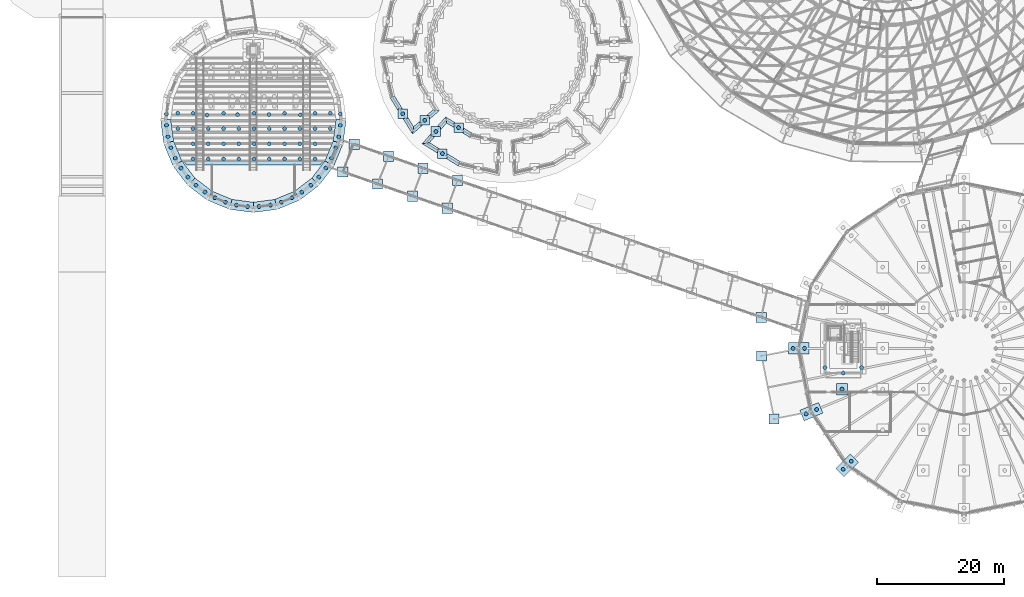
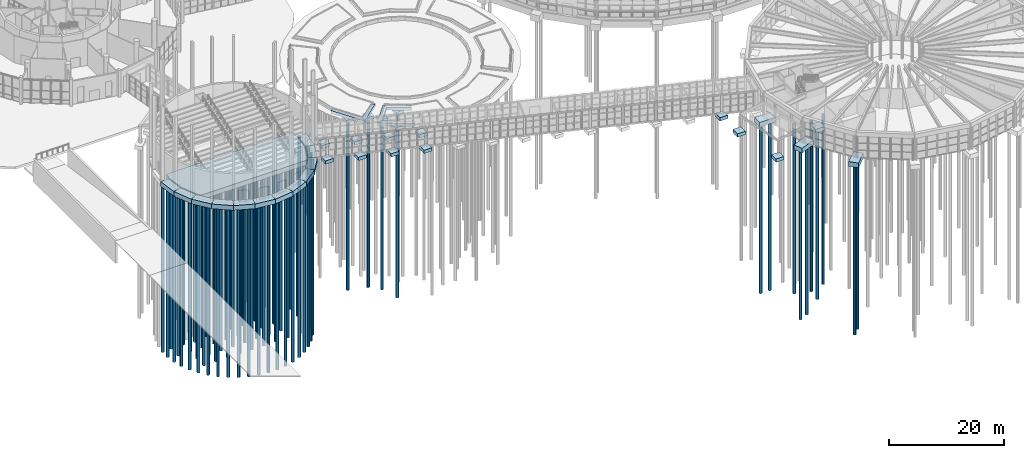
# One storey, part 1 of 226: 81 piles, 38 footings.
"""IFC4 building model written with IfcOpenShell, lengths in metres."""

from ifc_helpers import new_model, si_unit, direction, frame, origin, origin_2d, place, context, subcontext, project, spatial, polyline, circle, outline, extrude, material, layer, layer_set, material_profile, profile_set, type_object, element, save


model = new_model("IFC4")

# Units and contexts
model_context = context("Model", 3, precision=1e-05, world=origin(), true_north=direction((0.0, 1.0)))
body_context = subcontext(model_context, "Body", "Model", "MODEL_VIEW")
ifc_project = project(units=[si_unit("LENGTHUNIT", "METRE"), si_unit("AREAUNIT", "SQUARE_METRE"), si_unit("VOLUMEUNIT", "CUBIC_METRE"), si_unit("PLANEANGLEUNIT", "RADIAN"), si_unit("MASSUNIT", "GRAM", prefix="KILO")], contexts=[model_context])

# Site, building, storey
site_placement = place(None, origin())
site = spatial("IfcSite", under=ifc_project, at=site_placement, CompositionType="ELEMENT")
building_placement = place(site_placement, origin())
building = spatial("IfcBuilding", under=site, at=building_placement, Name="Ceibo Conservatory and Research Tower", CompositionType="ELEMENT")
storey_placement = place(building_placement, origin())
storey = spatial("IfcBuildingStorey", under=building, at=storey_placement, Name="L00", CompositionType="ELEMENT", Elevation=0.0)

# Piles
ifc_material_1 = material(Name="Concrete C35/45", Category="concrete")
ifc_material_profile = material_profile(ifc_material_1, circle(Radius=0.300048828125, at=origin_2d()), Name="RC D600")
ifc_profile_set = profile_set([ifc_material_profile], Name="Concrete C35/45")
pile_type = type_object("IfcPileType", Name="Bored pile D600", PredefinedType="BORED", material=ifc_profile_set)
for number, where, z_axis, x_axis, name in (
    (1, (69.86083984375, 72.892822265625, -1.199951171875), (0.0, 0.0, -1.0), (1.0, 0.0, 0.0), "Pile AUD.STRIP.F01 01"),
    (2, (42.499267578125, 72.892822265625, -1.199951171875), (0.0, 0.0, -1.0), (1.0, 0.0, 0.0), "Pile AUD.STRIP.F12 02"),
    (3, (42.499267578125, 71.107177734375, -1.199951171875), (0.0, 0.0, -1.0), (1.0, 0.0, 0.0), "Pile AUD.STRIP.F13 01"),
    (4, (42.734375, 69.321533203125, -1.199951171875), (0.0, 0.0, -1.0), (1.0, 0.0, 0.0), "Pile AUD.STRIP.F13 02"),
    (5, (43.196533203125, 67.5966796875, -1.199951171875), (0.0, 0.0, -1.0), (1.0, 0.0, 0.0), "Pile AUD.STRIP.F14 01"),
    (6, (43.8857421875, 65.932861328125, -1.199951171875), (0.0, 0.0, -1.0), (1.0, 0.0, 0.0), "Pile AUD.STRIP.F14 02"),
    (7, (44.778564453125, 64.386474609375, -1.199951171875), (0.0, 0.0, -1.0), (1.0, 0.0, 0.0), "Pile AUD.STRIP.F15 01"),
    (8, (45.875, 62.95751953125, -1.199951171875), (0.0, 0.0, -1.0), (1.0, 0.0, 0.0), "Pile AUD.STRIP.F15 02"),
    (9, (47.1376953125, 61.69482421875, -1.199951171875), (0.0, 0.0, -1.0), (1.0, 0.0, 0.0), "Pile AUD.STRIP.F16 01"),
    (10, (48.56640625, 60.5986328125, -1.199951171875), (0.0, 0.0, -1.0), (1.0, 0.0, 0.0), "Pile AUD.STRIP.F16 02"),
    (11, (50.11279296875, 59.705810546875, -1.199951171875), (0.0, 0.0, -1.0), (1.0, 0.0, 0.0), "Pile AUD.STRIP.F17 01"),
    (12, (51.77685546875, 59.0166015625, -1.199951171875), (0.0, 0.0, -1.0), (1.0, 0.0, 0.0), "Pile AUD.STRIP.F17 02"),
    (13, (53.501708984375, 58.554443359375, -1.199951171875), (0.0, 0.0, -1.0), (1.0, 0.0, 0.0), "Pile AUD.STRIP.F18 01"),
    (14, (55.287353515625, 58.3193359375, -1.199951171875), (0.0, 0.0, -1.0), (1.0, 0.0, 0.0), "Pile AUD.STRIP.F18 02"),
    (15, (57.072998046875, 58.3193359375, -1.199951171875), (0.0, 0.0, -1.0), (1.0, 0.0, 0.0), "Pile AUD.STRIP.F19 01"),
    (16, (58.858642578125, 58.554443359375, -1.199951171875), (0.0, 0.0, -1.0), (1.0, 0.0, 0.0), "Pile AUD.STRIP.F19 02"),
    (17, (60.583251953125, 59.0166015625, -1.199951171875), (0.0, 0.0, -1.0), (1.0, 0.0, 0.0), "Pile AUD.STRIP.F20 01"),
    (18, (62.247314453125, 59.705810546875, -1.199951171875), (0.0, 0.0, -1.0), (1.0, 0.0, 0.0), "Pile AUD.STRIP.F20 02"),
    (19, (63.793701171875, 60.5986328125, -1.199951171875), (0.0, 0.0, -1.0), (1.0, 0.0, 0.0), "Pile AUD.STRIP.F21 01"),
    (20, (65.222412109375, 61.69482421875, -1.199951171875), (0.0, 0.0, -1.0), (1.0, 0.0, 0.0), "Pile AUD.STRIP.F21 02"),
    (21, (66.485107421875, 62.95751953125, -1.199951171875), (0.0, 0.0, -1.0), (1.0, 0.0, 0.0), "Pile AUD.STRIP.F22 01"),
    (22, (67.58154296875, 64.386474609375, -1.199951171875), (0.0, 0.0, -1.0), (1.0, 0.0, 0.0), "Pile AUD.STRIP.F22 02"),
    (23, (68.474365234375, 65.932861328125, -1.199951171875), (0.0, 0.0, -1.0), (1.0, 0.0, 0.0), "Pile AUD.STRIP.F23 01"),
    (24, (69.16357421875, 67.5966796875, -1.199951171875), (0.0, 0.0, -1.0), (1.0, 0.0, 0.0), "Pile AUD.STRIP.F23 02"),
    (25, (69.625732421875, 69.321533203125, -1.199951171875), (0.0, 0.0, -1.0), (1.0, 0.0, 0.0), "Pile AUD.STRIP.F24 01"),
    (26, (69.86083984375, 71.107177734375, -1.199951171875), (0.0, 0.0, -1.0), (1.0, 0.0, 0.0), "Pile AUD.STRIP.F24 02"),
    (27, (46.6904296875, 65.803466796875, -1.199951171875), (0.0, 0.0, -1.0), (1.0, 0.0, 0.0), "Pile AUD.CAP.RAFT 01"),
    (28, (49.09033203125, 65.803466796875, -1.199951171875), (0.0, 0.0, -1.0), (1.0, 0.0, 0.0), "Pile AUD.CAP.RAFT 02"),
    (29, (51.490478515625, 65.803466796875, -1.199951171875), (0.0, 0.0, -1.0), (1.0, 0.0, 0.0), "Pile AUD.CAP.RAFT 03"),
    (30, (53.890380859375, 65.803466796875, -1.199951171875), (0.0, 0.0, -1.0), (1.0, 0.0, 0.0), "Pile AUD.CAP.RAFT 04"),
    (31, (56.29052734375, 65.803466796875, -1.199951171875), (0.0, 0.0, -1.0), (1.0, 0.0, 0.0), "Pile AUD.CAP.RAFT 05"),
    (32, (58.6904296875, 65.803466796875, -1.199951171875), (0.0, 0.0, -1.0), (1.0, 0.0, 0.0), "Pile AUD.CAP.RAFT 06"),
    (33, (61.09033203125, 65.803466796875, -1.199951171875), (0.0, 0.0, -1.0), (1.0, 0.0, 0.0), "Pile AUD.CAP.RAFT 07"),
    (34, (63.490478515625, 65.803466796875, -1.199951171875), (0.0, 0.0, -1.0), (1.0, 0.0, 0.0), "Pile AUD.CAP.RAFT 08"),
    (35, (65.890380859375, 65.803466796875, -1.199951171875), (0.0, 0.0, -1.0), (1.0, 0.0, 0.0), "Pile AUD.CAP.RAFT 09"),
    (36, (46.6904296875, 68.203369140625, -1.199951171875), (0.0, 0.0, -1.0), (1.0, 0.0, 0.0), "Pile AUD.CAP.RAFT 10"),
    (37, (49.09033203125, 68.203369140625, -1.199951171875), (0.0, 0.0, -1.0), (1.0, 0.0, 0.0), "Pile AUD.CAP.RAFT 11"),
    (38, (51.490478515625, 68.203369140625, -1.199951171875), (0.0, 0.0, -1.0), (1.0, 0.0, 0.0), "Pile AUD.CAP.RAFT 12"),
    (39, (53.890380859375, 68.203369140625, -1.199951171875), (0.0, 0.0, -1.0), (1.0, 0.0, 0.0), "Pile AUD.CAP.RAFT 13"),
    (40, (56.29052734375, 68.203369140625, -1.199951171875), (0.0, 0.0, -1.0), (1.0, 0.0, 0.0), "Pile AUD.CAP.RAFT 14"),
    (41, (58.6904296875, 68.203369140625, -1.199951171875), (0.0, 0.0, -1.0), (1.0, 0.0, 0.0), "Pile AUD.CAP.RAFT 15"),
    (42, (61.09033203125, 68.203369140625, -1.199951171875), (0.0, 0.0, -1.0), (1.0, 0.0, 0.0), "Pile AUD.CAP.RAFT 16"),
    (43, (63.490478515625, 68.203369140625, -1.199951171875), (0.0, 0.0, -1.0), (1.0, 0.0, 0.0), "Pile AUD.CAP.RAFT 17"),
    (44, (65.890380859375, 68.203369140625, -1.199951171875), (0.0, 0.0, -1.0), (1.0, 0.0, 0.0), "Pile AUD.CAP.RAFT 18"),
    (45, (44.29052734375, 70.603515625, -1.199951171875), (0.0, 0.0, -1.0), (1.0, 0.0, 0.0), "Pile AUD.CAP.RAFT 19"),
    (46, (46.6904296875, 70.603515625, -1.199951171875), (0.0, 0.0, -1.0), (1.0, 0.0, 0.0), "Pile AUD.CAP.RAFT 20"),
    (47, (49.09033203125, 70.603515625, -1.199951171875), (0.0, 0.0, -1.0), (1.0, 0.0, 0.0), "Pile AUD.CAP.RAFT 21"),
    (48, (51.490478515625, 70.603515625, -1.199951171875), (0.0, 0.0, -1.0), (1.0, 0.0, 0.0), "Pile AUD.CAP.RAFT 22"),
    (49, (53.890380859375, 70.603515625, -1.199951171875), (0.0, 0.0, -1.0), (1.0, 0.0, 0.0), "Pile AUD.CAP.RAFT 23"),
    (50, (56.29052734375, 70.603515625, -1.199951171875), (0.0, 0.0, -1.0), (1.0, 0.0, 0.0), "Pile AUD.CAP.RAFT 24"),
    (51, (58.6904296875, 70.603515625, -1.199951171875), (0.0, 0.0, -1.0), (1.0, 0.0, 0.0), "Pile AUD.CAP.RAFT 25"),
    (52, (61.09033203125, 70.603515625, -1.199951171875), (0.0, 0.0, -1.0), (1.0, 0.0, 0.0), "Pile AUD.CAP.RAFT 26"),
    (53, (63.490478515625, 70.603515625, -1.199951171875), (0.0, 0.0, -1.0), (1.0, 0.0, 0.0), "Pile AUD.CAP.RAFT 27"),
    (54, (65.890380859375, 70.603515625, -1.199951171875), (0.0, 0.0, -1.0), (1.0, 0.0, 0.0), "Pile AUD.CAP.RAFT 28"),
    (55, (68.29052734375, 70.603515625, -1.199951171875), (0.0, 0.0, -1.0), (1.0, 0.0, 0.0), "Pile AUD.CAP.RAFT 29"),
    (56, (44.29052734375, 73.00341796875, -1.199951171875), (0.0, 0.0, -1.0), (1.0, 0.0, 0.0), "Pile AUD.CAP.RAFT 30"),
    (57, (46.6904296875, 73.00341796875, -1.199951171875), (0.0, 0.0, -1.0), (1.0, 0.0, 0.0), "Pile AUD.CAP.RAFT 31"),
    (58, (48.88671875, 72.71875, -1.199951171875), (0.0, 0.0, -1.0), (1.0, 0.0, 0.0), "Pile AUD.CAP.RAFT 32"),
    (59, (51.490478515625, 73.00341796875, -1.199951171875), (0.0, 0.0, -1.0), (1.0, 0.0, 0.0), "Pile AUD.CAP.RAFT 33"),
    (60, (53.673828125, 72.7958984375, -1.199951171875), (0.0, 0.0, -1.0), (1.0, 0.0, 0.0), "Pile AUD.CAP.RAFT 34"),
    (61, (56.29052734375, 73.00341796875, -1.199951171875), (0.0, 0.0, -1.0), (1.0, 0.0, 0.0), "Pile AUD.CAP.RAFT 35"),
    (62, (58.653076171875, 72.806884765625, -1.199951171875), (0.0, 0.0, -1.0), (1.0, 0.0, 0.0), "Pile AUD.CAP.RAFT 36"),
    (63, (61.09033203125, 73.00341796875, -1.199951171875), (0.0, 0.0, -1.0), (1.0, 0.0, 0.0), "Pile AUD.CAP.RAFT 37"),
    (64, (63.5771484375, 72.76904296875, -1.199951171875), (0.0, 0.0, -1.0), (1.0, 0.0, 0.0), "Pile AUD.CAP.RAFT 38"),
    (65, (65.890380859375, 73.00341796875, -1.199951171875), (0.0, 0.0, -1.0), (1.0, 0.0, 0.0), "Pile AUD.CAP.RAFT 39"),
    (66, (68.29052734375, 73.00341796875, -1.199951171875), (0.0, 0.0, -1.0), (1.0, 0.0, 0.0), "Pile AUD.CAP.RAFT 40"),
    (67, (142.89990234375, 36.0, -0.89990234375), (0.0, 0.0, -1.0), (1.0, 0.0, 0.0), "Pile VC.CAP.L00.09 01"),
    (68, (141.10009765625, 36.0, -0.89990234375), (0.0, 0.0, -1.0), (1.0, 0.0, 0.0), "Pile VC.CAP.L00.09 02"),
    (69, (144.810546875, 26.39453125, -0.89990234375), (0.0, 0.0, -1.0), (1.0, 0.0, 0.0), "Pile VC.CAP.L00.10 01"),
    (70, (143.147705078125, 25.705810546875, -0.89990234375), (0.0, 0.0, -1.0), (1.0, 0.0, 0.0), "Pile VC.CAP.L00.10 02"),
    (71, (150.251708984375, 18.251708984375, -0.89990234375), (0.0, 0.0, -1.0), (1.0, 0.0, 0.0), "Pile VC.CAP.L00.11 01"),
    (72, (148.978759765625, 16.978759765625, -0.89990234375), (0.0, 0.0, -1.0), (1.0, 0.0, 0.0), "Pile VC.CAP.L00.11 02"),
    (73, (148.800048828125, 29.60009765625, -0.949951171875), (0.0, 0.0, -1.0), (1.0, 0.0, 0.0), "Pile VC.CAP.FLOOR.09 01"),
    (74, (151.875, 33.0, -0.89990234375), (0.0, 0.0, -1.0), (1.0, 0.0, 0.0), "Pile VC.STRIP.E.J 01"),
    (75, (146.125, 33.0, -0.89990234375), (0.0, 0.0, -1.0), (1.0, 0.0, 0.0), "Pile VC.STRIP.E.J 03"),
    (76, (149.0, 32.125, -0.89990234375), (0.0, 0.0, -1.0), (1.0, 0.0, 0.0), "Pile VC.STRIP.E.J 05"),
    (77, (79.671630859375, 72.934326171875, -1.10009765625), (0.0, 0.0, -1.0), (1.0, 0.0, 0.0), "Pile CARRY.SITE.STRIP.COURT.PB5.KERB.F03 01"),
    (78, (83.140380859375, 71.894775390625, -1.10009765625), (0.0, 0.0, -1.0), (1.0, 0.0, 0.0), "Pile CARRY.SITE.STRIP.COURT.PB5.KERB.F04 01"),
    (79, (84.894775390625, 70.140380859375, -1.10009765625), (0.0, 0.0, -1.0), (1.0, 0.0, 0.0), "Pile CARRY.SITE.STRIP.COURT.PB6.KERB.F01 01"),
    (80, (85.934326171875, 66.671630859375, -1.10009765625), (0.0, 0.0, -1.0), (1.0, 0.0, 0.0), "Pile CARRY.SITE.STRIP.COURT.PB6.KERB.F02 01"),
    (81, (88.462646484375, 70.754150390625, -1.10009765625), (0.0, 0.0, -1.0), (1.0, 0.0, 0.0), "Pile CARRY.SITE.STRIP.COURT.PB6.KERB.F06 01"),
):
    element("IfcPile", number, at=place(storey_placement, frame(where, z_axis=z_axis, x_axis=x_axis)), inside=storey, type_object=pile_type, Name=name, PredefinedType="BORED", context=body_context, shape_type="SweptSolid", body=[
        extrude(circle(Radius=0.300048828125, at=origin_2d()), origin(), (0.0, 0.0, 1.0), 36.0),
    ])

# Footings
ifc_material_2 = material(Name="Concrete C40/50", Category="concrete")
ifc_layer_1 = layer(ifc_material_2, 0.699951171875)
ifc_layer_set_1 = layer_set([ifc_layer_1], Name="Concrete C40/50")
footing_type_1 = type_object("IfcFootingType", Name="Pad footing 1600x1600x700", PredefinedType="PAD_FOOTING", material=ifc_layer_set_1)
footing_1_placement = place(storey_placement, frame((0.0, 0.0, -0.949951171875)))
element("IfcFooting", 82, at=footing_1_placement, inside=storey, type_object=footing_type_1, Name="Pad footing GAL.CAP.L00.AUD-VC.N01", PredefinedType="PAD_FOOTING", context=body_context, shape_type="SweptSolid", body=[
    extrude(outline(polyline([(71.239990234375, 67.32080078125), (72.840087890625, 67.32080078125), (72.840087890625, 68.9208984375), (71.239990234375, 68.9208984375), (71.239990234375, 67.32080078125)])), origin(), (0.0, 0.0, 1.0), 0.699951171875),
])
footing_2_placement = place(storey_placement, frame((0.0, 0.0, -0.949951171875)))
element("IfcFooting", 83, at=footing_2_placement, inside=storey, type_object=footing_type_1, Name="Pad footing GAL.CAP.L00.AUD-VC.S01", PredefinedType="PAD_FOOTING", context=body_context, shape_type="SweptSolid", body=[
    extrude(outline(polyline([(69.434326171875, 62.97265625), (71.0341796875, 62.97265625), (71.0341796875, 64.57275390625), (69.434326171875, 64.57275390625), (69.434326171875, 62.97265625)])), origin(), (0.0, 0.0, 1.0), 0.699951171875),
])
footing_3_placement = place(storey_placement, frame((0.0, 0.0, -0.949951171875)))
element("IfcFooting", 84, at=footing_3_placement, inside=storey, type_object=footing_type_1, Name="Pad footing GAL.CAP.L00.AUD-VC.N02", PredefinedType="PAD_FOOTING", context=body_context, shape_type="SweptSolid", body=[
    extrude(outline(polyline([(76.66064453125, 65.43701171875), (78.2607421875, 65.43701171875), (78.2607421875, 67.036865234375), (76.66064453125, 67.036865234375), (76.66064453125, 65.43701171875)])), origin(), (0.0, 0.0, 1.0), 0.699951171875),
])
footing_4_placement = place(storey_placement, frame((0.0, 0.0, -0.949951171875)))
element("IfcFooting", 85, at=footing_4_placement, inside=storey, type_object=footing_type_1, Name="Pad footing GAL.CAP.L00.AUD-VC.S02", PredefinedType="PAD_FOOTING", context=body_context, shape_type="SweptSolid", body=[
    extrude(outline(polyline([(74.922607421875, 61.065185546875), (76.5224609375, 61.065185546875), (76.5224609375, 62.665283203125), (74.922607421875, 62.665283203125), (74.922607421875, 61.065185546875)])), origin(), (0.0, 0.0, 1.0), 0.699951171875),
])
footing_5_placement = place(storey_placement, frame((0.0, 0.0, -0.949951171875)))
element("IfcFooting", 86, at=footing_5_placement, inside=storey, type_object=footing_type_1, Name="Pad footing GAL.CAP.L00.AUD-VC.N03", PredefinedType="PAD_FOOTING", context=body_context, shape_type="SweptSolid", body=[
    extrude(outline(polyline([(82.081298828125, 63.552978515625), (83.681396484375, 63.552978515625), (83.681396484375, 65.153076171875), (82.081298828125, 65.153076171875), (82.081298828125, 63.552978515625)])), origin(), (0.0, 0.0, 1.0), 0.699951171875),
])
footing_6_placement = place(storey_placement, frame((0.0, 0.0, -0.949951171875)))
element("IfcFooting", 87, at=footing_6_placement, inside=storey, type_object=footing_type_1, Name="Pad footing GAL.CAP.L00.AUD-VC.S03", PredefinedType="PAD_FOOTING", context=body_context, shape_type="SweptSolid", body=[
    extrude(outline(polyline([(80.410888671875, 59.157958984375), (82.0107421875, 59.157958984375), (82.0107421875, 60.7578125), (80.410888671875, 60.7578125), (80.410888671875, 59.157958984375)])), origin(), (0.0, 0.0, 1.0), 0.699951171875),
])
footing_7_placement = place(storey_placement, frame((0.0, 0.0, -0.949951171875)))
element("IfcFooting", 88, at=footing_7_placement, inside=storey, type_object=footing_type_1, Name="Pad footing GAL.CAP.L00.AUD-VC.N04", PredefinedType="PAD_FOOTING", context=body_context, shape_type="SweptSolid", body=[
    extrude(outline(polyline([(87.501953125, 61.669189453125), (89.101806640625, 61.669189453125), (89.101806640625, 63.269287109375), (87.501953125, 63.269287109375), (87.501953125, 61.669189453125)])), origin(), (0.0, 0.0, 1.0), 0.699951171875),
])
footing_8_placement = place(storey_placement, frame((0.0, 0.0, -0.949951171875)))
element("IfcFooting", 89, at=footing_8_placement, inside=storey, type_object=footing_type_1, Name="Pad footing GAL.CAP.L00.AUD-VC.S04", PredefinedType="PAD_FOOTING", context=body_context, shape_type="SweptSolid", body=[
    extrude(outline(polyline([(85.899169921875, 57.25048828125), (87.499267578125, 57.25048828125), (87.499267578125, 58.850341796875), (85.899169921875, 58.850341796875), (85.899169921875, 57.25048828125)])), origin(), (0.0, 0.0, 1.0), 0.699951171875),
])
footing_9_placement = place(storey_placement, frame((0.0, 0.0, -0.949951171875)))
element("IfcFooting", 90, at=footing_9_placement, inside=storey, type_object=footing_type_1, Name="Pad footing GAL.CAP.L00.AUD-VC.S13", PredefinedType="PAD_FOOTING", context=body_context, shape_type="SweptSolid", body=[
    extrude(outline(polyline([(135.293701171875, 40.08349609375), (136.893798828125, 40.08349609375), (136.893798828125, 41.68359375), (135.293701171875, 41.68359375), (135.293701171875, 40.08349609375)])), origin(), (0.0, 0.0, 1.0), 0.699951171875),
])
footing_10_placement = place(storey_placement, frame((0.0, 0.0, -0.699951171875)))
element("IfcFooting", 91, at=footing_10_placement, inside=storey, type_object=footing_type_1, Name="Pad footing LATE.VC.CNP.W.COL1", PredefinedType="PAD_FOOTING", context=body_context, shape_type="SweptSolid", body=[
    extrude(outline(polyline([(135.315185546875, 34.029541015625), (136.915283203125, 34.029541015625), (136.915283203125, 35.62939453125), (135.315185546875, 35.62939453125), (135.315185546875, 34.029541015625)])), origin(), (0.0, 0.0, 1.0), 0.699951171875),
])
footing_11_placement = place(storey_placement, frame((0.0, 0.0, -0.699951171875)))
element("IfcFooting", 92, at=footing_11_placement, inside=storey, type_object=footing_type_1, Name="Pad footing LATE.VC.CNP.W.COL2", PredefinedType="PAD_FOOTING", context=body_context, shape_type="SweptSolid", body=[
    extrude(outline(polyline([(137.29443359375, 24.07958984375), (138.89453125, 24.07958984375), (138.89453125, 25.6796875), (137.29443359375, 25.6796875), (137.29443359375, 24.07958984375)])), origin(), (0.0, 0.0, 1.0), 0.699951171875),
])
ifc_layer_2 = layer(ifc_material_2, 0.60009765625)
ifc_layer_set_2 = layer_set([ifc_layer_2], Name="Concrete C40/50")
footing_type_2 = type_object("IfcFootingType", Name="Pile cap 1500x1500x600", PredefinedType="PILE_CAP", material=ifc_layer_set_2)
footing_12_placement = place(storey_placement, frame((0.0, 0.0, -1.199951171875)))
element("IfcFooting", 93, at=footing_12_placement, inside=storey, type_object=footing_type_2, Name="Pile cap CARRY.SITE.STRIP.COURT.PB5.KERB.F03", PredefinedType="PILE_CAP", context=body_context, shape_type="SweptSolid", body=[
    extrude(outline(polyline([(80.421630859375, 72.184326171875), (80.421630859375, 73.684326171875), (78.921630859375, 73.684326171875), (78.921630859375, 72.184326171875), (80.421630859375, 72.184326171875)])), origin(), (0.0, 0.0, 1.0), 0.599853515625),
])
footing_13_placement = place(storey_placement, frame((0.0, 0.0, -1.199951171875)))
element("IfcFooting", 94, at=footing_13_placement, inside=storey, type_object=footing_type_2, Name="Pile cap CARRY.SITE.STRIP.COURT.PB5.KERB.F04", PredefinedType="PILE_CAP", context=body_context, shape_type="SweptSolid", body=[
    extrude(outline(polyline([(83.890380859375, 71.144775390625), (83.890380859375, 72.644775390625), (82.390380859375, 72.644775390625), (82.390380859375, 71.144775390625), (83.890380859375, 71.144775390625)])), origin(), (0.0, 0.0, 1.0), 0.599853515625),
])
footing_14_placement = place(storey_placement, frame((0.0, 0.0, -1.199951171875)))
element("IfcFooting", 95, at=footing_14_placement, inside=storey, type_object=footing_type_2, Name="Pile cap CARRY.SITE.STRIP.COURT.PB6.KERB.F01", PredefinedType="PILE_CAP", context=body_context, shape_type="SweptSolid", body=[
    extrude(outline(polyline([(85.644775390625, 69.390380859375), (85.644775390625, 70.890380859375), (84.144775390625, 70.890380859375), (84.144775390625, 69.390380859375), (85.644775390625, 69.390380859375)])), origin(), (0.0, 0.0, 1.0), 0.599853515625),
])
footing_15_placement = place(storey_placement, frame((0.0, 0.0, -1.199951171875)))
element("IfcFooting", 96, at=footing_15_placement, inside=storey, type_object=footing_type_2, Name="Pile cap CARRY.SITE.STRIP.COURT.PB6.KERB.F02", PredefinedType="PILE_CAP", context=body_context, shape_type="SweptSolid", body=[
    extrude(outline(polyline([(86.684326171875, 65.921630859375), (86.684326171875, 67.421630859375), (85.184326171875, 67.421630859375), (85.184326171875, 65.921630859375), (86.684326171875, 65.921630859375)])), origin(), (0.0, 0.0, 1.0), 0.599853515625),
])
footing_16_placement = place(storey_placement, frame((0.0, 0.0, -1.199951171875)))
element("IfcFooting", 97, at=footing_16_placement, inside=storey, type_object=footing_type_2, Name="Pile cap CARRY.SITE.STRIP.COURT.PB6.KERB.F06", PredefinedType="PILE_CAP", context=body_context, shape_type="SweptSolid", body=[
    extrude(outline(polyline([(89.212646484375, 70.004150390625), (89.212646484375, 71.504150390625), (87.712646484375, 71.504150390625), (87.712646484375, 70.004150390625), (89.212646484375, 70.004150390625)])), origin(), (0.0, 0.0, 1.0), 0.599853515625),
])
ifc_layer_3 = layer(ifc_material_2, 0.800048828125)
ifc_layer_set_3 = layer_set([ifc_layer_3], Name="Concrete C40/50")
footing_type_3 = type_object("IfcFootingType", Name="Pile cap 1800x1800x800", PredefinedType="PILE_CAP", material=ifc_layer_set_3)
footing_17_placement = place(storey_placement, frame((0.0, 0.0, -1.050048828125)))
element("IfcFooting", 98, at=footing_17_placement, inside=storey, type_object=footing_type_3, Name="Pile cap VC.CAP.FLOOR.09", PredefinedType="PILE_CAP", context=body_context, shape_type="SweptSolid", body=[
    extrude(outline(polyline([(147.89990234375, 28.699951171875), (149.699951171875, 28.699951171875), (149.699951171875, 30.5), (147.89990234375, 30.5), (147.89990234375, 28.699951171875)])), origin(), (0.0, 0.0, 1.0), 0.800048828125),
])
ifc_layer_4 = layer(ifc_material_2, 1.0)
ifc_layer_set_4 = layer_set([ifc_layer_4], Name="Concrete C40/50")
footing_type_4 = type_object("IfcFootingType", Name="Pile cap 3200x1800x1000", PredefinedType="PILE_CAP", material=ifc_layer_set_4)
footing_18_placement = place(storey_placement, frame((0.0, 0.0, -1.0)))
element("IfcFooting", 99, at=footing_18_placement, inside=storey, type_object=footing_type_4, Name="Pile cap VC.CAP.L00.09", PredefinedType="PILE_CAP", context=body_context, shape_type="SweptSolid", body=[
    extrude(outline(polyline([(143.60009765625, 36.89990234375), (140.39990234375, 36.89990234375), (140.39990234375, 35.10009765625), (143.60009765625, 35.10009765625), (143.60009765625, 36.89990234375)])), origin(), (0.0, 0.0, 1.0), 1.0),
])
for number, where, z_axis, x_axis, name in (
    (100, (145.113037109375, 27.493896484375, -1.0), (0.0, 0.0, 1.0), (-0.923879507629, -0.382683492437, 0.0), "Pile cap VC.CAP.L00.10"),
    (101, (150.110107421875, 19.383056640625, -1.0), (0.0, 0.0, 1.0), (-0.707106781187, -0.707106781187, 0.0), "Pile cap VC.CAP.L00.11"),
):
    element("IfcFooting", number, at=place(storey_placement, frame(where, z_axis=z_axis, x_axis=x_axis)), inside=storey, type_object=footing_type_4, Name=name, PredefinedType="PILE_CAP", context=body_context, shape_type="SweptSolid", body=[
        extrude(outline(polyline([(0.0, 0.0), (3.199951171875, 0.0), (3.199951171875, 1.800048828125), (0.0, 1.800048828125), (0.0, 0.0)])), origin(), (0.0, 0.0, 1.0), 1.0),
    ])
ifc_layer_5 = layer(ifc_material_2, 1.0)
ifc_layer_set_5 = layer_set([ifc_layer_5], Name="Concrete C40/50")
footing_type_5 = type_object("IfcFootingType", Name="Pile raft 1000", PredefinedType="PILE_CAP", material=ifc_layer_set_5)
footing_19_placement = place(storey_placement, frame((0.0, 0.0, -1.300048828125)))
element("IfcFooting", 102, at=footing_19_placement, inside=storey, type_object=footing_type_5, Name="Auditorium pile raft", PredefinedType="PILE_CAP", context=body_context, shape_type="SweptSolid", body=[
    extrude(outline(polyline([(68.533935546875, 68.689697265625), (68.9697265625, 72.0), (68.771728515625, 73.50341796875), (43.58837890625, 73.50341796875), (43.390380859375, 72.0), (43.826171875, 68.689697265625), (45.10400390625, 65.605224609375), (45.642333984375, 64.903564453125), (66.7177734375, 64.903564453125), (67.25634765625, 65.605224609375), (68.533935546875, 68.689697265625)])), origin(), (0.0, 0.0, 1.0), 1.0),
])
ifc_layer_6 = layer(ifc_material_2, 1.0)
ifc_layer_set_6 = layer_set([ifc_layer_6], Name="Concrete C40/50")
footing_type_6 = type_object("IfcFootingType", Name="Strip cap 1600x1000", PredefinedType="STRIP_FOOTING", material=ifc_layer_set_6)
footing_20_placement = place(storey_placement, frame((0.0, 0.0, -1.300048828125)))
element("IfcFooting", 103, at=footing_20_placement, inside=storey, type_object=footing_type_6, Name="Strip cap AUD.STRIP.F13", PredefinedType="STRIP_FOOTING", context=body_context, shape_type="SweptSolid", body=[
    extrude(outline(polyline([(41.574951171875, 72.0), (42.072509765625, 68.219970703125), (43.63134765625, 68.6376953125), (43.188720703125, 72.0), (41.574951171875, 72.0)])), origin(), (0.0, 0.0, 1.0), 1.0),
])
footing_21_placement = place(storey_placement, frame((0.0, 0.0, -1.300048828125)))
element("IfcFooting", 104, at=footing_21_placement, inside=storey, type_object=footing_type_6, Name="Strip cap AUD.STRIP.F14", PredefinedType="STRIP_FOOTING", context=body_context, shape_type="SweptSolid", body=[
    extrude(outline(polyline([(42.072509765625, 68.219970703125), (43.53173828125, 64.697509765625), (44.92919921875, 65.50439453125), (43.63134765625, 68.6376953125), (42.072509765625, 68.219970703125)])), origin(), (0.0, 0.0, 1.0), 1.0),
])
footing_22_placement = place(storey_placement, frame((0.0, 0.0, -1.300048828125)))
element("IfcFooting", 105, at=footing_22_placement, inside=storey, type_object=footing_type_6, Name="Strip cap AUD.STRIP.F15", PredefinedType="STRIP_FOOTING", context=body_context, shape_type="SweptSolid", body=[
    extrude(outline(polyline([(43.53173828125, 64.697509765625), (45.852783203125, 61.672607421875), (46.993896484375, 62.813720703125), (44.92919921875, 65.50439453125), (43.53173828125, 64.697509765625)])), origin(), (0.0, 0.0, 1.0), 1.0),
])
footing_23_placement = place(storey_placement, frame((0.0, 0.0, -1.300048828125)))
element("IfcFooting", 106, at=footing_23_placement, inside=storey, type_object=footing_type_6, Name="Strip cap AUD.STRIP.F16", PredefinedType="STRIP_FOOTING", context=body_context, shape_type="SweptSolid", body=[
    extrude(outline(polyline([(45.852783203125, 61.672607421875), (48.87744140625, 59.3515625), (49.684326171875, 60.7490234375), (46.993896484375, 62.813720703125), (45.852783203125, 61.672607421875)])), origin(), (0.0, 0.0, 1.0), 1.0),
])
footing_24_placement = place(storey_placement, frame((0.0, 0.0, -1.300048828125)))
element("IfcFooting", 107, at=footing_24_placement, inside=storey, type_object=footing_type_6, Name="Strip cap AUD.STRIP.F17", PredefinedType="STRIP_FOOTING", context=body_context, shape_type="SweptSolid", body=[
    extrude(outline(polyline([(48.87744140625, 59.3515625), (52.39990234375, 57.892578125), (52.817626953125, 59.451416015625), (49.684326171875, 60.7490234375), (48.87744140625, 59.3515625)])), origin(), (0.0, 0.0, 1.0), 1.0),
])
footing_25_placement = place(storey_placement, frame((0.0, 0.0, -1.300048828125)))
element("IfcFooting", 108, at=footing_25_placement, inside=storey, type_object=footing_type_6, Name="Strip cap AUD.STRIP.F18", PredefinedType="STRIP_FOOTING", context=body_context, shape_type="SweptSolid", body=[
    extrude(outline(polyline([(52.39990234375, 57.892578125), (56.18017578125, 57.394775390625), (56.18017578125, 59.008544921875), (52.817626953125, 59.451416015625), (52.39990234375, 57.892578125)])), origin(), (0.0, 0.0, 1.0), 1.0),
])
footing_26_placement = place(storey_placement, frame((0.0, 0.0, -1.300048828125)))
element("IfcFooting", 109, at=footing_26_placement, inside=storey, type_object=footing_type_6, Name="Strip cap AUD.STRIP.F19", PredefinedType="STRIP_FOOTING", context=body_context, shape_type="SweptSolid", body=[
    extrude(outline(polyline([(56.18017578125, 57.394775390625), (59.960205078125, 57.892578125), (59.54248046875, 59.451416015625), (56.18017578125, 59.008544921875), (56.18017578125, 57.394775390625)])), origin(), (0.0, 0.0, 1.0), 1.0),
])
footing_27_placement = place(storey_placement, frame((0.0, 0.0, -1.300048828125)))
element("IfcFooting", 110, at=footing_27_placement, inside=storey, type_object=footing_type_6, Name="Strip cap AUD.STRIP.F20", PredefinedType="STRIP_FOOTING", context=body_context, shape_type="SweptSolid", body=[
    extrude(outline(polyline([(59.960205078125, 57.892578125), (63.482666015625, 59.3515625), (62.67578125, 60.7490234375), (59.54248046875, 59.451416015625), (59.960205078125, 57.892578125)])), origin(), (0.0, 0.0, 1.0), 1.0),
])
footing_28_placement = place(storey_placement, frame((0.0, 0.0, -1.300048828125)))
element("IfcFooting", 111, at=footing_28_placement, inside=storey, type_object=footing_type_6, Name="Strip cap AUD.STRIP.F21", PredefinedType="STRIP_FOOTING", context=body_context, shape_type="SweptSolid", body=[
    extrude(outline(polyline([(63.482666015625, 59.3515625), (66.507568359375, 61.672607421875), (65.366455078125, 62.813720703125), (62.67578125, 60.7490234375), (63.482666015625, 59.3515625)])), origin(), (0.0, 0.0, 1.0), 1.0),
])
footing_29_placement = place(storey_placement, frame((0.0, 0.0, -1.300048828125)))
element("IfcFooting", 112, at=footing_29_placement, inside=storey, type_object=footing_type_6, Name="Strip cap AUD.STRIP.F22", PredefinedType="STRIP_FOOTING", context=body_context, shape_type="SweptSolid", body=[
    extrude(outline(polyline([(66.507568359375, 61.672607421875), (68.82861328125, 64.697509765625), (67.430908203125, 65.50439453125), (65.366455078125, 62.813720703125), (66.507568359375, 61.672607421875)])), origin(), (0.0, 0.0, 1.0), 1.0),
])
footing_30_placement = place(storey_placement, frame((0.0, 0.0, -1.300048828125)))
element("IfcFooting", 113, at=footing_30_placement, inside=storey, type_object=footing_type_6, Name="Strip cap AUD.STRIP.F23", PredefinedType="STRIP_FOOTING", context=body_context, shape_type="SweptSolid", body=[
    extrude(outline(polyline([(68.82861328125, 64.697509765625), (70.28759765625, 68.219970703125), (68.728759765625, 68.6376953125), (67.430908203125, 65.50439453125), (68.82861328125, 64.697509765625)])), origin(), (0.0, 0.0, 1.0), 1.0),
])
footing_31_placement = place(storey_placement, frame((0.0, 0.0, -1.300048828125)))
element("IfcFooting", 114, at=footing_31_placement, inside=storey, type_object=footing_type_6, Name="Strip cap AUD.STRIP.F24", PredefinedType="STRIP_FOOTING", context=body_context, shape_type="SweptSolid", body=[
    extrude(outline(polyline([(70.28759765625, 68.219970703125), (70.78515625, 72.0), (69.17138671875, 72.0), (68.728759765625, 68.6376953125), (70.28759765625, 68.219970703125)])), origin(), (0.0, 0.0, 1.0), 1.0),
])
ifc_layer_7 = layer(ifc_material_2, 0.60009765625)
ifc_layer_set_7 = layer_set([ifc_layer_7], Name="Concrete C40/50")
footing_type_7 = type_object("IfcFootingType", Name="Strip footing 750x600", PredefinedType="STRIP_FOOTING", material=ifc_layer_set_7)
footing_32_placement = place(storey_placement, frame((0.0, 0.0, -0.60009765625)))
element("IfcFooting", 115, at=footing_32_placement, inside=storey, type_object=footing_type_7, Name="Strip footing SITE.STRIP.COURT.PB5.KERB.F03", PredefinedType="STRIP_FOOTING", context=body_context, shape_type="SweptSolid", body=[
    extrude(outline(polyline([(77.70361328125, 75.42138671875), (81.213623046875, 69.7490234375), (81.387451171875, 70.8935546875), (78.405517578125, 75.712158203125), (77.70361328125, 75.42138671875)])), origin(), (0.0, 0.0, 1.0), 0.60009765625),
])
footing_33_placement = place(storey_placement, frame((0.0, 0.0, -0.60009765625)))
element("IfcFooting", 116, at=footing_33_placement, inside=storey, type_object=footing_type_7, Name="Strip footing SITE.STRIP.COURT.PB5.KERB.F04", PredefinedType="STRIP_FOOTING", context=body_context, shape_type="SweptSolid", body=[
    extrude(outline(polyline([(81.213623046875, 69.7490234375), (85.446044921875, 73.427978515625), (84.47265625, 73.57568359375), (81.387451171875, 70.8935546875), (81.213623046875, 69.7490234375)])), origin(), (0.0, 0.0, 1.0), 0.60009765625),
])
footing_34_placement = place(storey_placement, frame((0.0, 0.0, -0.60009765625)))
element("IfcFooting", 117, at=footing_34_placement, inside=storey, type_object=footing_type_7, Name="Strip footing SITE.STRIP.COURT.PB6.KERB.F01", PredefinedType="STRIP_FOOTING", context=body_context, shape_type="SweptSolid", body=[
    extrude(outline(polyline([(86.427978515625, 72.446044921875), (82.7490234375, 68.213623046875), (83.8935546875, 68.387451171875), (86.57568359375, 71.47265625), (86.427978515625, 72.446044921875)])), origin(), (0.0, 0.0, 1.0), 0.60009765625),
])
footing_35_placement = place(storey_placement, frame((0.0, 0.0, -0.60009765625)))
element("IfcFooting", 118, at=footing_35_placement, inside=storey, type_object=footing_type_7, Name="Strip footing SITE.STRIP.COURT.PB6.KERB.F02", PredefinedType="STRIP_FOOTING", context=body_context, shape_type="SweptSolid", body=[
    extrude(outline(polyline([(82.7490234375, 68.213623046875), (88.42138671875, 64.70361328125), (88.712158203125, 65.405517578125), (83.8935546875, 68.387451171875), (82.7490234375, 68.213623046875)])), origin(), (0.0, 0.0, 1.0), 0.60009765625),
])
footing_36_placement = place(storey_placement, frame((0.0, 0.0, -0.60009765625)))
element("IfcFooting", 119, at=footing_36_placement, inside=storey, type_object=footing_type_7, Name="Strip footing SITE.STRIP.COURT.PB6.KERB.F06", PredefinedType="STRIP_FOOTING", context=body_context, shape_type="SweptSolid", body=[
    extrude(outline(polyline([(90.5673828125, 69.884521484375), (86.427978515625, 72.446044921875), (86.57568359375, 71.47265625), (90.276611328125, 69.1826171875), (90.5673828125, 69.884521484375)])), origin(), (0.0, 0.0, 1.0), 0.60009765625),
])

save(model, "model.ifc")
